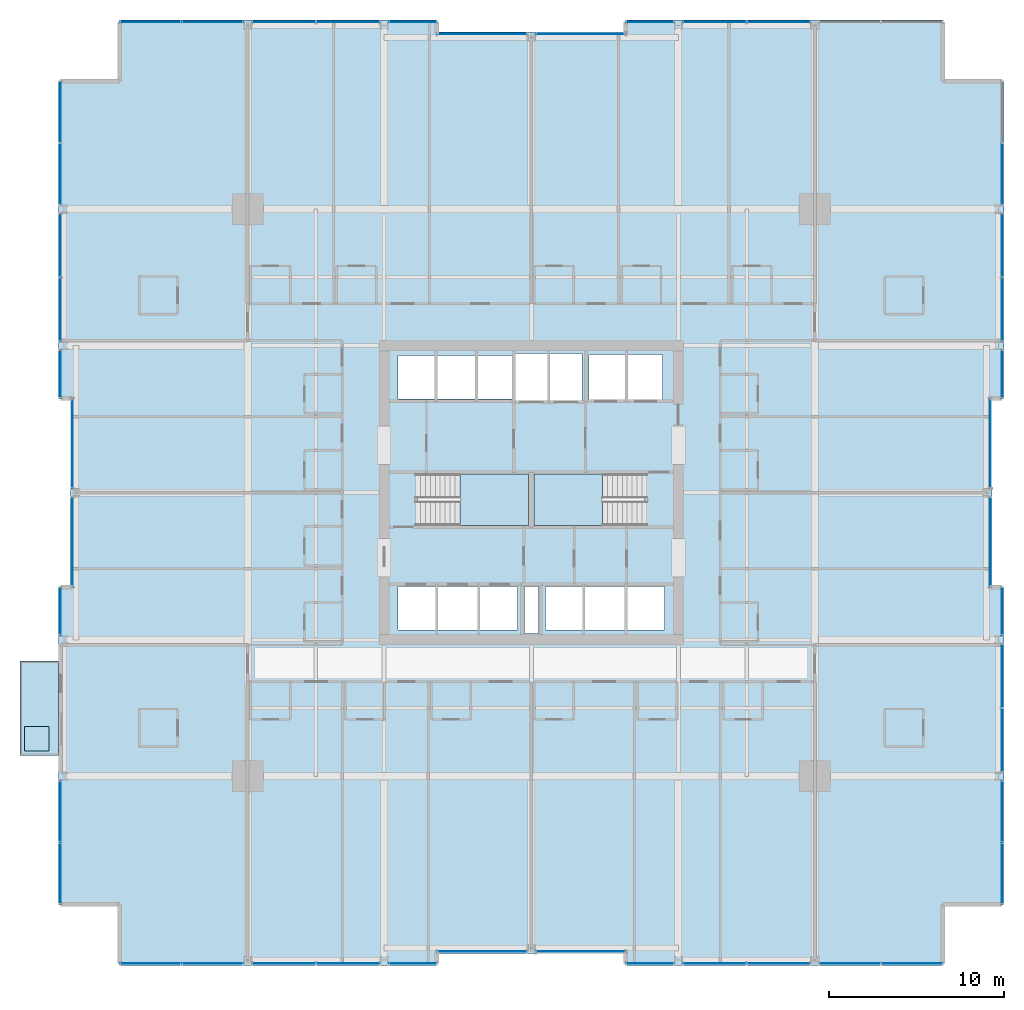
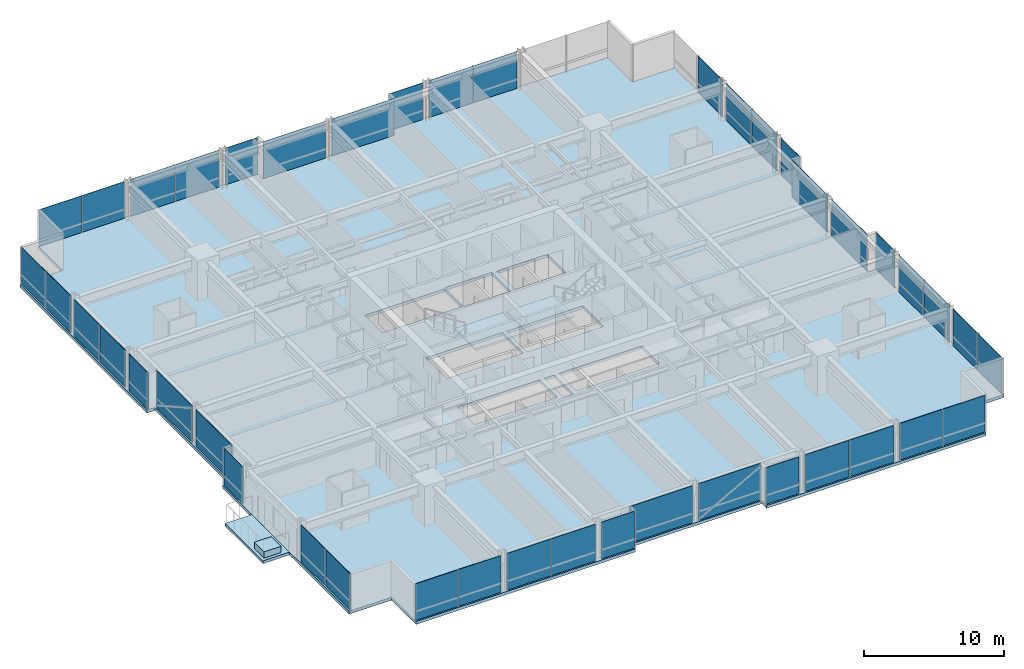
# One storey, part 29 of 39: 43 plates, 5 slabs, 32 elements without a shape of their own.
"""IFC4 building model written with IfcOpenShell, lengths in metres."""

from ifc_helpers import new_model, si_unit, direction, frame, origin, origin_2d, place, context, subcontext, project, spatial, polyline, rectangle, outline, extrude, material, layer, layer_set, type_object, element, aggregate, save


model = new_model("IFC4")

# Units and contexts
model_context = context("Model", 3, precision=1e-05, world=origin(), true_north=direction((0.0, 1.0)))
body_context = subcontext(model_context, "Body", "Model", "MODEL_VIEW")
ifc_project = project(units=[si_unit("LENGTHUNIT", "METRE"), si_unit("AREAUNIT", "SQUARE_METRE"), si_unit("VOLUMEUNIT", "CUBIC_METRE"), si_unit("PLANEANGLEUNIT", "RADIAN"), si_unit("MASSUNIT", "GRAM", prefix="KILO")], contexts=[model_context])

# Site, building, storey
site_placement = place(None, origin())
site = spatial("IfcSite", under=ifc_project, at=site_placement, CompositionType="ELEMENT")
building_placement = place(site_placement, origin())
building = spatial("IfcBuilding", under=site, at=building_placement, Name="Drelvath Grand Hotel", CompositionType="ELEMENT")
storey_placement = place(building_placement, frame((0.0, 0.0, 36.699951171875)))
storey = spatial("IfcBuildingStorey", under=building, at=storey_placement, Name="L07", CompositionType="ELEMENT", Elevation=36.699951171875)

# Slabs
ifc_material_1 = material(Name="Concrete f'c 40 MPa", Category="concrete")
ifc_layer_1 = layer(ifc_material_1, 0.239990234375)
ifc_layer_set_1 = layer_set([ifc_layer_1], Name="Concrete f'c 40 MPa")
slab_type_1 = type_object("IfcSlabType", Name="Cantilevered Tree Balcony Slab 240", PredefinedType="FLOOR", material=ifc_layer_set_1)
slab_1_placement = place(storey_placement, frame((0.0, 0.0, -0.239990234375)))
element("IfcSlab", 1, at=slab_1_placement, inside=storey, type_object=slab_type_1, Name="L07 Cantilevered Tree Balcony Slab 1", PredefinedType="FLOOR", context=body_context, shape_type="SweptSolid", body=[
    extrude(outline(polyline([(-29.199951171875, 12.0), (-27.0, 12.0), (-27.0, 17.39990234375), (-29.199951171875, 17.39990234375), (-29.199951171875, 12.0)])), origin(), (0.0, 0.0, 1.0), 0.239990234375),
])
ifc_layer_2 = layer(ifc_material_1, 0.260009765625)
ifc_layer_set_2 = layer_set([ifc_layer_2], Name="Concrete f'c 40 MPa")
slab_type_2 = type_object("IfcSlabType", Name="Composite RC Floor Slab 260", PredefinedType="FLOOR", material=ifc_layer_set_2)
slab_2_placement = place(storey_placement, frame((0.0, 0.0, -0.260009765625)))
element("IfcSlab", 2, at=slab_2_placement, inside=storey, type_object=slab_type_2, Name="L07 Structural Floor Slab", PredefinedType="FLOOR", context=body_context, shape_type="SweptSolid", body=[
    extrude(outline(polyline([(-23.5, 0.0), (-5.39990234375, 0.0), (-5.39990234375, 0.679931640625), (5.39990234375, 0.679931640625), (5.39990234375, 0.0), (23.5, 0.0), (23.5, 3.5), (27.0, 3.5), (27.0, 21.60009765625), (26.320068359375, 21.60009765625), (26.320068359375, 32.39990234375), (27.0, 32.39990234375), (27.0, 50.5), (23.5, 50.5), (23.5, 54.0), (5.39990234375, 54.0), (5.39990234375, 53.320068359375), (-5.39990234375, 53.320068359375), (-5.39990234375, 54.0), (-23.5, 54.0), (-23.5, 50.5), (-27.0, 50.5), (-27.0, 32.39990234375), (-26.320068359375, 32.39990234375), (-26.320068359375, 21.60009765625), (-27.0, 21.60009765625), (-27.0, 3.5), (-23.5, 3.5), (-23.5, 0.0)]), holes=[polyline([(-6.47998046875, 25.1201171875), (-6.47998046875, 28.080078125), (-0.14990234375, 28.080078125), (-0.14990234375, 25.1201171875), (-6.47998046875, 25.1201171875)]), polyline([(0.14990234375, 25.1201171875), (0.14990234375, 28.080078125), (6.47998046875, 28.080078125), (6.47998046875, 25.1201171875), (0.14990234375, 25.1201171875)]), polyline([(-7.60009765625, 19.14990234375), (-7.60009765625, 21.64990234375), (-0.800048828125, 21.64990234375), (-0.800048828125, 19.14990234375), (-7.60009765625, 19.14990234375)]), polyline([(-0.39990234375, 18.9599609375), (-0.39990234375, 21.639892578125), (0.39990234375, 21.639892578125), (0.39990234375, 18.9599609375), (-0.39990234375, 18.9599609375)]), polyline([(0.800048828125, 19.14990234375), (0.800048828125, 21.64990234375), (7.60009765625, 21.64990234375), (7.60009765625, 19.14990234375), (0.800048828125, 19.14990234375)]), polyline([(-7.60009765625, 32.35009765625), (-7.60009765625, 34.85009765625), (-1.02001953125, 34.85009765625), (-1.02001953125, 32.35009765625), (-7.60009765625, 32.35009765625)]), polyline([(-0.89990234375, 32.25), (-0.89990234375, 34.949951171875), (2.89990234375, 34.949951171875), (2.89990234375, 32.25), (-0.89990234375, 32.25)]), polyline([(3.300048828125, 32.300048828125), (3.300048828125, 34.89990234375), (7.5, 34.89990234375), (7.5, 32.300048828125), (3.300048828125, 32.300048828125)])]), origin(), (0.0, 0.0, 1.0), 0.260009765625),
])

# Stair, slab
ifc_material_2 = material(Name="Concrete C40/50", Category="concrete")
stair_type = type_object("IfcStairType", Name="Dogleg Exit Stair W1400-R175.0", PredefinedType="HALF_TURN_STAIR", material=ifc_material_2)
stair_1_placement = place(storey_placement, origin())
stair_1 = element("IfcStair", 3, at=stair_1_placement, inside=storey, type_object=stair_type, Name="L07 Core Exit Stair ST-1", PredefinedType="HALF_TURN_STAIR")
ifc_layer_3 = layer(ifc_material_2, 0.199951171875)
ifc_layer_set_3 = layer_set([ifc_layer_3], Name="Concrete C40/50")
slab_type_3 = type_object("IfcSlabType", Name="Concrete Stair Landing Slab 200", PredefinedType="LANDING", material=ifc_layer_set_3)
slab_3_placement = place(storey_placement, frame((0.0, 0.0, 1.550048828125)))
slab_3 = element("IfcSlab", 4, at=slab_3_placement, type_object=slab_type_3, Name="ST-1 landing 1", PredefinedType="LANDING", context=body_context, shape_type="SweptSolid", body=[
    extrude(outline(polyline([(-4.080078125, 25.1201171875), (-0.14990234375, 25.1201171875), (-0.14990234375, 28.080078125), (-4.080078125, 28.080078125), (-4.080078125, 25.1201171875)])), origin(), (0.0, 0.0, 1.0), 0.199951171875),
])
aggregate(stair_1, [slab_3])

stair_2_placement = place(storey_placement, origin())
stair_2 = element("IfcStair", 5, at=stair_2_placement, inside=storey, type_object=stair_type, Name="L07 Core Exit Stair ST-2", PredefinedType="HALF_TURN_STAIR")
slab_4_placement = place(storey_placement, frame((0.0, 0.0, 1.550048828125)))
slab_4 = element("IfcSlab", 6, at=slab_4_placement, type_object=slab_type_3, Name="ST-2 landing 1", PredefinedType="LANDING", context=body_context, shape_type="SweptSolid", body=[
    extrude(outline(polyline([(4.080078125, 28.080078125), (0.14990234375, 28.080078125), (0.14990234375, 25.1201171875), (4.080078125, 25.1201171875), (4.080078125, 28.080078125)])), origin(), (0.0, 0.0, 1.0), 0.199951171875),
])
aggregate(stair_2, [slab_4])

# Curtain wall, plates
ifc_material_3 = material(Name="Warm Bronze Anodised Aluminium Frame", Category="aluminium")
ifc_layer_4 = layer(ifc_material_3, 0.199951171875)
ifc_layer_set_4 = layer_set([ifc_layer_4], Name="Warm Bronze Anodised Aluminium Frame")
curtain_wall_type = type_object("IfcCurtainWallType", Name="Stick Curtain Wall CW-02 Warm Bronze Low-Rise", PredefinedType="NOTDEFINED", material=ifc_layer_set_4)
curtain_wall_1_placement = place(storey_placement, origin())
curtain_wall_1 = element("IfcCurtainWall", 7, at=curtain_wall_1_placement, inside=storey, type_object=curtain_wall_type, Name="L07 CW-02 Curtain Wall CW02-L07-WS1", PredefinedType="NOTDEFINED")
ifc_material_4 = material(Name="Low-E Triple Silver Vision Glass Bronze Tint", Category="glass")
ifc_layer_5 = layer(ifc_material_4, 0.035888671875)
ifc_layer_set_5 = layer_set([ifc_layer_5], Name="Low-E Triple Silver Vision Glass Bronze Tint")
plate_type = type_object("IfcPlateType", Name="Curtain Wall Vision Panel CW-02 36mm", PredefinedType="CURTAIN_PANEL", material=ifc_layer_set_5)
plate_1_placement = place(storey_placement, frame((-26.8798828125, 5.264892578125, 0.02001953125), z_axis=(0.0, 0.0, 1.0), x_axis=(0.0, 1.0, 0.0)))
plate_1 = element("IfcPlate", 8, at=plate_1_placement, type_object=plate_type, Name="CW02-L07-WS1 Glazed Panel 1", PredefinedType="CURTAIN_PANEL", context=body_context, shape_type="SweptSolid", body=[
    extrude(rectangle(XDim=3.489501953125, YDim=0.035888671875, at=origin_2d()), origin(), (0.0, 0.0, 1.0), 3.199951171875),
])
plate_2_placement = place(storey_placement, frame((-26.8798828125, 8.794189453125, 0.02001953125), z_axis=(0.0, 0.0, 1.0), x_axis=(0.0, 1.0, 0.0)))
plate_2 = element("IfcPlate", 9, at=plate_2_placement, type_object=plate_type, Name="CW02-L07-WS1 Glazed Panel 2", PredefinedType="CURTAIN_PANEL", context=body_context, shape_type="SweptSolid", body=[
    extrude(rectangle(XDim=3.489501953125, YDim=0.035888671875, at=origin_2d()), origin(), (0.0, 0.0, 1.0), 3.199951171875),
])
aggregate(curtain_wall_1, [plate_1, plate_2])

# Curtain wall, plate
curtain_wall_2_placement = place(storey_placement, origin())
curtain_wall_2 = element("IfcCurtainWall", 10, at=curtain_wall_2_placement, inside=storey, type_object=curtain_wall_type, Name="L07 CW-02 Curtain Wall CW02-L07-WS3", PredefinedType="NOTDEFINED")
plate_3_placement = place(storey_placement, frame((-26.8798828125, 20.220458984375, 0.02001953125), z_axis=(0.0, 0.0, 1.0), x_axis=(0.0, 1.0, 0.0)))
plate_3 = element("IfcPlate", 11, at=plate_3_placement, type_object=plate_type, Name="CW02-L07-WS3 Glazed Panel 1", PredefinedType="CURTAIN_PANEL", context=body_context, shape_type="SweptSolid", body=[
    extrude(rectangle(XDim=2.718994140625, YDim=0.035888671875, at=origin_2d()), origin(), (0.0, 0.0, 1.0), 3.199951171875),
])
aggregate(curtain_wall_2, [plate_3])

curtain_wall_3_placement = place(storey_placement, origin())
curtain_wall_3 = element("IfcCurtainWall", 12, at=curtain_wall_3_placement, inside=storey, type_object=curtain_wall_type, Name="L07 CW-02 Curtain Wall CW02-L07-WM1", PredefinedType="NOTDEFINED")
plate_4_placement = place(storey_placement, frame((-26.199951171875, 24.179443359375, 0.02001953125), z_axis=(0.0, 0.0, 1.0), x_axis=(0.0, 1.0, 0.0)))
plate_4 = element("IfcPlate", 13, at=plate_4_placement, type_object=plate_type, Name="CW02-L07-WM1 Glazed Panel 1", PredefinedType="CURTAIN_PANEL", context=body_context, shape_type="SweptSolid", body=[
    extrude(rectangle(XDim=5.119140625, YDim=0.035888671875, at=origin_2d()), origin(), (0.0, 0.0, 1.0), 3.199951171875),
])
aggregate(curtain_wall_3, [plate_4])

curtain_wall_4_placement = place(storey_placement, origin())
curtain_wall_4 = element("IfcCurtainWall", 14, at=curtain_wall_4_placement, inside=storey, type_object=curtain_wall_type, Name="L07 CW-02 Curtain Wall CW02-L07-WM2", PredefinedType="NOTDEFINED")
plate_5_placement = place(storey_placement, frame((-26.199951171875, 29.820556640625, 0.02001953125), z_axis=(0.0, 0.0, 1.0), x_axis=(0.0, 1.0, 0.0)))
plate_5 = element("IfcPlate", 15, at=plate_5_placement, type_object=plate_type, Name="CW02-L07-WM2 Glazed Panel 1", PredefinedType="CURTAIN_PANEL", context=body_context, shape_type="SweptSolid", body=[
    extrude(rectangle(XDim=5.119140625, YDim=0.035888671875, at=origin_2d()), origin(), (0.0, 0.0, 1.0), 3.199951171875),
])
aggregate(curtain_wall_4, [plate_5])

curtain_wall_5_placement = place(storey_placement, origin())
curtain_wall_5 = element("IfcCurtainWall", 16, at=curtain_wall_5_placement, inside=storey, type_object=curtain_wall_type, Name="L07 CW-02 Curtain Wall CW02-L07-WN1", PredefinedType="NOTDEFINED")
plate_6_placement = place(storey_placement, frame((-26.8798828125, 33.779541015625, 0.02001953125), z_axis=(0.0, 0.0, 1.0), x_axis=(0.0, 1.0, 0.0)))
plate_6 = element("IfcPlate", 17, at=plate_6_placement, type_object=plate_type, Name="CW02-L07-WN1 Glazed Panel 1", PredefinedType="CURTAIN_PANEL", context=body_context, shape_type="SweptSolid", body=[
    extrude(rectangle(XDim=2.718994140625, YDim=0.035888671875, at=origin_2d()), origin(), (0.0, 0.0, 1.0), 3.199951171875),
])
aggregate(curtain_wall_5, [plate_6])

# Curtain wall, plates
curtain_wall_6_placement = place(storey_placement, origin())
curtain_wall_6 = element("IfcCurtainWall", 18, at=curtain_wall_6_placement, inside=storey, type_object=curtain_wall_type, Name="L07 CW-02 Curtain Wall CW02-L07-WN2", PredefinedType="NOTDEFINED")
plate_7_placement = place(storey_placement, frame((-26.8798828125, 37.470458984375, 0.02001953125), z_axis=(0.0, 0.0, 1.0), x_axis=(0.0, 1.0, 0.0)))
plate_7 = element("IfcPlate", 19, at=plate_7_placement, type_object=plate_type, Name="CW02-L07-WN2 Glazed Panel 1", PredefinedType="CURTAIN_PANEL", context=body_context, shape_type="SweptSolid", body=[
    extrude(rectangle(XDim=3.619140625, YDim=0.035888671875, at=origin_2d()), origin(), (0.0, 0.0, 1.0), 3.199951171875),
])
plate_8_placement = place(storey_placement, frame((-26.8798828125, 41.129638671875, 0.02001953125), z_axis=(0.0, 0.0, 1.0), x_axis=(0.0, 1.0, 0.0)))
plate_8 = element("IfcPlate", 20, at=plate_8_placement, type_object=plate_type, Name="CW02-L07-WN2 Glazed Panel 2", PredefinedType="CURTAIN_PANEL", context=body_context, shape_type="SweptSolid", body=[
    extrude(rectangle(XDim=3.619140625, YDim=0.035888671875, at=origin_2d()), origin(), (0.0, 0.0, 1.0), 3.199951171875),
])
aggregate(curtain_wall_6, [plate_7, plate_8])

curtain_wall_7_placement = place(storey_placement, origin())
curtain_wall_7 = element("IfcCurtainWall", 21, at=curtain_wall_7_placement, inside=storey, type_object=curtain_wall_type, Name="L07 CW-02 Curtain Wall CW02-L07-WN3", PredefinedType="NOTDEFINED")
plate_9_placement = place(storey_placement, frame((-26.8798828125, 45.205810546875, 0.02001953125), z_axis=(0.0, 0.0, 1.0), x_axis=(0.0, 1.0, 0.0)))
plate_9 = element("IfcPlate", 22, at=plate_9_placement, type_object=plate_type, Name="CW02-L07-WN3 Glazed Panel 1", PredefinedType="CURTAIN_PANEL", context=body_context, shape_type="SweptSolid", body=[
    extrude(rectangle(XDim=3.489501953125, YDim=0.035888671875, at=origin_2d()), origin(), (0.0, 0.0, 1.0), 3.199951171875),
])
plate_10_placement = place(storey_placement, frame((-26.8798828125, 48.735107421875, 0.02001953125), z_axis=(0.0, 0.0, 1.0), x_axis=(0.0, 1.0, 0.0)))
plate_10 = element("IfcPlate", 23, at=plate_10_placement, type_object=plate_type, Name="CW02-L07-WN3 Glazed Panel 2", PredefinedType="CURTAIN_PANEL", context=body_context, shape_type="SweptSolid", body=[
    extrude(rectangle(XDim=3.489501953125, YDim=0.035888671875, at=origin_2d()), origin(), (0.0, 0.0, 1.0), 3.199951171875),
])
aggregate(curtain_wall_7, [plate_9, plate_10])

# Curtain wall, plate
curtain_wall_8_placement = place(storey_placement, origin())
curtain_wall_8 = element("IfcCurtainWall", 24, at=curtain_wall_8_placement, inside=storey, type_object=curtain_wall_type, Name="L07 CW-02 Curtain Wall CW02-L07-EN1", PredefinedType="NOTDEFINED")
plate_11_placement = place(storey_placement, frame((26.8798828125, 33.779541015625, 0.02001953125), z_axis=(0.0, 0.0, 1.0), x_axis=(0.0, -1.0, 0.0)))
plate_11 = element("IfcPlate", 25, at=plate_11_placement, type_object=plate_type, Name="CW02-L07-EN1 Glazed Panel 1", PredefinedType="CURTAIN_PANEL", context=body_context, shape_type="SweptSolid", body=[
    extrude(rectangle(XDim=2.718994140625, YDim=0.035888671875, at=origin_2d()), origin(), (0.0, 0.0, 1.0), 3.199951171875),
])
aggregate(curtain_wall_8, [plate_11])

# Curtain wall, plates
curtain_wall_9_placement = place(storey_placement, origin())
curtain_wall_9 = element("IfcCurtainWall", 26, at=curtain_wall_9_placement, inside=storey, type_object=curtain_wall_type, Name="L07 CW-02 Curtain Wall CW02-L07-EN2", PredefinedType="NOTDEFINED")
plate_12_placement = place(storey_placement, frame((26.8798828125, 41.129638671875, 0.02001953125), z_axis=(0.0, 0.0, 1.0), x_axis=(0.0, -1.0, 0.0)))
plate_12 = element("IfcPlate", 27, at=plate_12_placement, type_object=plate_type, Name="CW02-L07-EN2 Glazed Panel 1", PredefinedType="CURTAIN_PANEL", context=body_context, shape_type="SweptSolid", body=[
    extrude(rectangle(XDim=3.619140625, YDim=0.035888671875, at=origin_2d()), origin(), (0.0, 0.0, 1.0), 3.199951171875),
])
plate_13_placement = place(storey_placement, frame((26.8798828125, 37.470458984375, 0.02001953125), z_axis=(0.0, 0.0, 1.0), x_axis=(0.0, -1.0, 0.0)))
plate_13 = element("IfcPlate", 28, at=plate_13_placement, type_object=plate_type, Name="CW02-L07-EN2 Glazed Panel 2", PredefinedType="CURTAIN_PANEL", context=body_context, shape_type="SweptSolid", body=[
    extrude(rectangle(XDim=3.619140625, YDim=0.035888671875, at=origin_2d()), origin(), (0.0, 0.0, 1.0), 3.199951171875),
])
aggregate(curtain_wall_9, [plate_12, plate_13])

# Curtain wall, plate
curtain_wall_10_placement = place(storey_placement, origin())
curtain_wall_10 = element("IfcCurtainWall", 29, at=curtain_wall_10_placement, inside=storey, type_object=curtain_wall_type, Name="L07 CW-02 Curtain Wall CW02-L07-EN3", PredefinedType="NOTDEFINED")
plate_14_placement = place(storey_placement, frame((26.8798828125, 45.205810546875, 0.02001953125), z_axis=(0.0, 0.0, 1.0), x_axis=(0.0, -1.0, 0.0)))
plate_14 = element("IfcPlate", 30, at=plate_14_placement, type_object=plate_type, Name="CW02-L07-EN3 Glazed Panel 2", PredefinedType="CURTAIN_PANEL", context=body_context, shape_type="SweptSolid", body=[
    extrude(rectangle(XDim=3.489501953125, YDim=0.035888671875, at=origin_2d()), origin(), (0.0, 0.0, 1.0), 3.199951171875),
])
aggregate(curtain_wall_10, [plate_14])

curtain_wall_11_placement = place(storey_placement, origin())
curtain_wall_11 = element("IfcCurtainWall", 31, at=curtain_wall_11_placement, inside=storey, type_object=curtain_wall_type, Name="L07 CW-02 Curtain Wall CW02-L07-EM1", PredefinedType="NOTDEFINED")
plate_15_placement = place(storey_placement, frame((26.199951171875, 24.179443359375, 0.02001953125), z_axis=(0.0, 0.0, 1.0), x_axis=(0.0, -1.0, 0.0)))
plate_15 = element("IfcPlate", 32, at=plate_15_placement, type_object=plate_type, Name="CW02-L07-EM1 Glazed Panel 1", PredefinedType="CURTAIN_PANEL", context=body_context, shape_type="SweptSolid", body=[
    extrude(rectangle(XDim=5.119140625, YDim=0.035888671875, at=origin_2d()), origin(), (0.0, 0.0, 1.0), 3.199951171875),
])
aggregate(curtain_wall_11, [plate_15])

curtain_wall_12_placement = place(storey_placement, origin())
curtain_wall_12 = element("IfcCurtainWall", 33, at=curtain_wall_12_placement, inside=storey, type_object=curtain_wall_type, Name="L07 CW-02 Curtain Wall CW02-L07-EM2", PredefinedType="NOTDEFINED")
plate_16_placement = place(storey_placement, frame((26.199951171875, 29.820556640625, 0.02001953125), z_axis=(0.0, 0.0, 1.0), x_axis=(0.0, -1.0, 0.0)))
plate_16 = element("IfcPlate", 34, at=plate_16_placement, type_object=plate_type, Name="CW02-L07-EM2 Glazed Panel 1", PredefinedType="CURTAIN_PANEL", context=body_context, shape_type="SweptSolid", body=[
    extrude(rectangle(XDim=5.119140625, YDim=0.035888671875, at=origin_2d()), origin(), (0.0, 0.0, 1.0), 3.199951171875),
])
aggregate(curtain_wall_12, [plate_16])

# Curtain wall, plates
curtain_wall_13_placement = place(storey_placement, origin())
curtain_wall_13 = element("IfcCurtainWall", 35, at=curtain_wall_13_placement, inside=storey, type_object=curtain_wall_type, Name="L07 CW-02 Curtain Wall CW02-L07-ES1", PredefinedType="NOTDEFINED")
plate_17_placement = place(storey_placement, frame((26.8798828125, 8.794189453125, 0.02001953125), z_axis=(0.0, 0.0, 1.0), x_axis=(0.0, -1.0, 0.0)))
plate_17 = element("IfcPlate", 36, at=plate_17_placement, type_object=plate_type, Name="CW02-L07-ES1 Glazed Panel 1", PredefinedType="CURTAIN_PANEL", context=body_context, shape_type="SweptSolid", body=[
    extrude(rectangle(XDim=3.489501953125, YDim=0.035888671875, at=origin_2d()), origin(), (0.0, 0.0, 1.0), 3.199951171875),
])
plate_18_placement = place(storey_placement, frame((26.8798828125, 5.264892578125, 0.02001953125), z_axis=(0.0, 0.0, 1.0), x_axis=(0.0, -1.0, 0.0)))
plate_18 = element("IfcPlate", 37, at=plate_18_placement, type_object=plate_type, Name="CW02-L07-ES1 Glazed Panel 2", PredefinedType="CURTAIN_PANEL", context=body_context, shape_type="SweptSolid", body=[
    extrude(rectangle(XDim=3.489501953125, YDim=0.035888671875, at=origin_2d()), origin(), (0.0, 0.0, 1.0), 3.199951171875),
])
aggregate(curtain_wall_13, [plate_17, plate_18])

curtain_wall_14_placement = place(storey_placement, origin())
curtain_wall_14 = element("IfcCurtainWall", 38, at=curtain_wall_14_placement, inside=storey, type_object=curtain_wall_type, Name="L07 CW-02 Curtain Wall CW02-L07-ES2", PredefinedType="NOTDEFINED")
plate_19_placement = place(storey_placement, frame((26.8798828125, 16.529541015625, 0.02001953125), z_axis=(0.0, 0.0, 1.0), x_axis=(0.0, -1.0, 0.0)))
plate_19 = element("IfcPlate", 39, at=plate_19_placement, type_object=plate_type, Name="CW02-L07-ES2 Glazed Panel 1", PredefinedType="CURTAIN_PANEL", context=body_context, shape_type="SweptSolid", body=[
    extrude(rectangle(XDim=3.619140625, YDim=0.035888671875, at=origin_2d()), origin(), (0.0, 0.0, 1.0), 3.199951171875),
])
plate_20_placement = place(storey_placement, frame((26.8798828125, 12.870361328125, 0.02001953125), z_axis=(0.0, 0.0, 1.0), x_axis=(0.0, -1.0, 0.0)))
plate_20 = element("IfcPlate", 40, at=plate_20_placement, type_object=plate_type, Name="CW02-L07-ES2 Glazed Panel 2", PredefinedType="CURTAIN_PANEL", context=body_context, shape_type="SweptSolid", body=[
    extrude(rectangle(XDim=3.619140625, YDim=0.035888671875, at=origin_2d()), origin(), (0.0, 0.0, 1.0), 3.199951171875),
])
aggregate(curtain_wall_14, [plate_19, plate_20])

# Curtain wall, plate
curtain_wall_15_placement = place(storey_placement, origin())
curtain_wall_15 = element("IfcCurtainWall", 41, at=curtain_wall_15_placement, inside=storey, type_object=curtain_wall_type, Name="L07 CW-02 Curtain Wall CW02-L07-ES3", PredefinedType="NOTDEFINED")
plate_21_placement = place(storey_placement, frame((26.8798828125, 20.220458984375, 0.02001953125), z_axis=(0.0, 0.0, 1.0), x_axis=(0.0, -1.0, 0.0)))
plate_21 = element("IfcPlate", 42, at=plate_21_placement, type_object=plate_type, Name="CW02-L07-ES3 Glazed Panel 1", PredefinedType="CURTAIN_PANEL", context=body_context, shape_type="SweptSolid", body=[
    extrude(rectangle(XDim=2.718994140625, YDim=0.035888671875, at=origin_2d()), origin(), (0.0, 0.0, 1.0), 3.199951171875),
])
aggregate(curtain_wall_15, [plate_21])

# Curtain wall, plates
curtain_wall_16_placement = place(storey_placement, origin())
curtain_wall_16 = element("IfcCurtainWall", 43, at=curtain_wall_16_placement, inside=storey, type_object=curtain_wall_type, Name="L07 CW-02 Curtain Wall CW02-L07-NW1", PredefinedType="NOTDEFINED")
plate_22_placement = place(storey_placement, frame((-21.735107421875, 53.8798828125, 0.02001953125), z_axis=(0.0, 0.0, 1.0), x_axis=(1.0, 0.0, 0.0)))
plate_22 = element("IfcPlate", 44, at=plate_22_placement, type_object=plate_type, Name="CW02-L07-NW1 Glazed Panel 1", PredefinedType="CURTAIN_PANEL", context=body_context, shape_type="SweptSolid", body=[
    extrude(rectangle(XDim=3.489501953125, YDim=0.035888671875, at=origin_2d()), origin(), (0.0, 0.0, 1.0), 3.199951171875),
])
plate_23_placement = place(storey_placement, frame((-18.205810546875, 53.8798828125, 0.02001953125), z_axis=(0.0, 0.0, 1.0), x_axis=(1.0, 0.0, 0.0)))
plate_23 = element("IfcPlate", 45, at=plate_23_placement, type_object=plate_type, Name="CW02-L07-NW1 Glazed Panel 2", PredefinedType="CURTAIN_PANEL", context=body_context, shape_type="SweptSolid", body=[
    extrude(rectangle(XDim=3.489501953125, YDim=0.035888671875, at=origin_2d()), origin(), (0.0, 0.0, 1.0), 3.199951171875),
])
aggregate(curtain_wall_16, [plate_22, plate_23])

curtain_wall_17_placement = place(storey_placement, origin())
curtain_wall_17 = element("IfcCurtainWall", 46, at=curtain_wall_17_placement, inside=storey, type_object=curtain_wall_type, Name="L07 CW-02 Curtain Wall CW02-L07-NW2", PredefinedType="NOTDEFINED")
plate_24_placement = place(storey_placement, frame((-14.129638671875, 53.8798828125, 0.02001953125), z_axis=(0.0, 0.0, 1.0), x_axis=(1.0, 0.0, 0.0)))
plate_24 = element("IfcPlate", 47, at=plate_24_placement, type_object=plate_type, Name="CW02-L07-NW2 Glazed Panel 1", PredefinedType="CURTAIN_PANEL", context=body_context, shape_type="SweptSolid", body=[
    extrude(rectangle(XDim=3.619140625, YDim=0.035888671875, at=origin_2d()), origin(), (0.0, 0.0, 1.0), 3.199951171875),
])
plate_25_placement = place(storey_placement, frame((-10.470458984375, 53.8798828125, 0.02001953125), z_axis=(0.0, 0.0, 1.0), x_axis=(1.0, 0.0, 0.0)))
plate_25 = element("IfcPlate", 48, at=plate_25_placement, type_object=plate_type, Name="CW02-L07-NW2 Glazed Panel 2", PredefinedType="CURTAIN_PANEL", context=body_context, shape_type="SweptSolid", body=[
    extrude(rectangle(XDim=3.619140625, YDim=0.035888671875, at=origin_2d()), origin(), (0.0, 0.0, 1.0), 3.199951171875),
])
aggregate(curtain_wall_17, [plate_24, plate_25])

# Curtain wall, plate
curtain_wall_18_placement = place(storey_placement, origin())
curtain_wall_18 = element("IfcCurtainWall", 49, at=curtain_wall_18_placement, inside=storey, type_object=curtain_wall_type, Name="L07 CW-02 Curtain Wall CW02-L07-NW3", PredefinedType="NOTDEFINED")
plate_26_placement = place(storey_placement, frame((-6.779541015625, 53.8798828125, 0.02001953125), z_axis=(0.0, 0.0, 1.0), x_axis=(1.0, 0.0, 0.0)))
plate_26 = element("IfcPlate", 50, at=plate_26_placement, type_object=plate_type, Name="CW02-L07-NW3 Glazed Panel 1", PredefinedType="CURTAIN_PANEL", context=body_context, shape_type="SweptSolid", body=[
    extrude(rectangle(XDim=2.718994140625, YDim=0.035888671875, at=origin_2d()), origin(), (0.0, 0.0, 1.0), 3.199951171875),
])
aggregate(curtain_wall_18, [plate_26])

curtain_wall_19_placement = place(storey_placement, origin())
curtain_wall_19 = element("IfcCurtainWall", 51, at=curtain_wall_19_placement, inside=storey, type_object=curtain_wall_type, Name="L07 CW-02 Curtain Wall CW02-L07-NM1", PredefinedType="NOTDEFINED")
plate_27_placement = place(storey_placement, frame((-2.820556640625, 53.199951171875, 0.02001953125), z_axis=(0.0, 0.0, 1.0), x_axis=(1.0, 0.0, 0.0)))
plate_27 = element("IfcPlate", 52, at=plate_27_placement, type_object=plate_type, Name="CW02-L07-NM1 Glazed Panel 1", PredefinedType="CURTAIN_PANEL", context=body_context, shape_type="SweptSolid", body=[
    extrude(rectangle(XDim=5.119140625, YDim=0.035888671875, at=origin_2d()), origin(), (0.0, 0.0, 1.0), 3.199951171875),
])
aggregate(curtain_wall_19, [plate_27])

curtain_wall_20_placement = place(storey_placement, origin())
curtain_wall_20 = element("IfcCurtainWall", 53, at=curtain_wall_20_placement, inside=storey, type_object=curtain_wall_type, Name="L07 CW-02 Curtain Wall CW02-L07-NM2", PredefinedType="NOTDEFINED")
plate_28_placement = place(storey_placement, frame((2.820556640625, 53.199951171875, 0.02001953125), z_axis=(0.0, 0.0, 1.0), x_axis=(1.0, 0.0, 0.0)))
plate_28 = element("IfcPlate", 54, at=plate_28_placement, type_object=plate_type, Name="CW02-L07-NM2 Glazed Panel 1", PredefinedType="CURTAIN_PANEL", context=body_context, shape_type="SweptSolid", body=[
    extrude(rectangle(XDim=5.119140625, YDim=0.035888671875, at=origin_2d()), origin(), (0.0, 0.0, 1.0), 3.199951171875),
])
aggregate(curtain_wall_20, [plate_28])

curtain_wall_21_placement = place(storey_placement, origin())
curtain_wall_21 = element("IfcCurtainWall", 55, at=curtain_wall_21_placement, inside=storey, type_object=curtain_wall_type, Name="L07 CW-02 Curtain Wall CW02-L07-NE1", PredefinedType="NOTDEFINED")
plate_29_placement = place(storey_placement, frame((6.779541015625, 53.8798828125, 0.02001953125), z_axis=(0.0, 0.0, 1.0), x_axis=(1.0, 0.0, 0.0)))
plate_29 = element("IfcPlate", 56, at=plate_29_placement, type_object=plate_type, Name="CW02-L07-NE1 Glazed Panel 1", PredefinedType="CURTAIN_PANEL", context=body_context, shape_type="SweptSolid", body=[
    extrude(rectangle(XDim=2.718994140625, YDim=0.035888671875, at=origin_2d()), origin(), (0.0, 0.0, 1.0), 3.199951171875),
])
aggregate(curtain_wall_21, [plate_29])

# Curtain wall, plates
curtain_wall_22_placement = place(storey_placement, origin())
curtain_wall_22 = element("IfcCurtainWall", 57, at=curtain_wall_22_placement, inside=storey, type_object=curtain_wall_type, Name="L07 CW-02 Curtain Wall CW02-L07-NE2", PredefinedType="NOTDEFINED")
plate_30_placement = place(storey_placement, frame((10.470458984375, 53.8798828125, 0.02001953125), z_axis=(0.0, 0.0, 1.0), x_axis=(1.0, 0.0, 0.0)))
plate_30 = element("IfcPlate", 58, at=plate_30_placement, type_object=plate_type, Name="CW02-L07-NE2 Glazed Panel 1", PredefinedType="CURTAIN_PANEL", context=body_context, shape_type="SweptSolid", body=[
    extrude(rectangle(XDim=3.619140625, YDim=0.035888671875, at=origin_2d()), origin(), (0.0, 0.0, 1.0), 3.199951171875),
])
plate_31_placement = place(storey_placement, frame((14.129638671875, 53.8798828125, 0.02001953125), z_axis=(0.0, 0.0, 1.0), x_axis=(1.0, 0.0, 0.0)))
plate_31 = element("IfcPlate", 59, at=plate_31_placement, type_object=plate_type, Name="CW02-L07-NE2 Glazed Panel 2", PredefinedType="CURTAIN_PANEL", context=body_context, shape_type="SweptSolid", body=[
    extrude(rectangle(XDim=3.619140625, YDim=0.035888671875, at=origin_2d()), origin(), (0.0, 0.0, 1.0), 3.199951171875),
])
aggregate(curtain_wall_22, [plate_30, plate_31])

# Curtain wall, plate
curtain_wall_23_placement = place(storey_placement, origin())
curtain_wall_23 = element("IfcCurtainWall", 60, at=curtain_wall_23_placement, inside=storey, type_object=curtain_wall_type, Name="L07 CW-02 Curtain Wall CW02-L07-SE1", PredefinedType="NOTDEFINED")
plate_32_placement = place(storey_placement, frame((6.779541015625, 0.1201171875, 0.02001953125), z_axis=(0.0, 0.0, 1.0), x_axis=(-1.0, 0.0, 0.0)))
plate_32 = element("IfcPlate", 61, at=plate_32_placement, type_object=plate_type, Name="CW02-L07-SE1 Glazed Panel 1", PredefinedType="CURTAIN_PANEL", context=body_context, shape_type="SweptSolid", body=[
    extrude(rectangle(XDim=2.718994140625, YDim=0.035888671875, at=origin_2d()), origin(), (0.0, 0.0, 1.0), 3.199951171875),
])
aggregate(curtain_wall_23, [plate_32])

# Curtain wall, plates
curtain_wall_24_placement = place(storey_placement, origin())
curtain_wall_24 = element("IfcCurtainWall", 62, at=curtain_wall_24_placement, inside=storey, type_object=curtain_wall_type, Name="L07 CW-02 Curtain Wall CW02-L07-SE2", PredefinedType="NOTDEFINED")
plate_33_placement = place(storey_placement, frame((14.129638671875, 0.1201171875, 0.02001953125), z_axis=(0.0, 0.0, 1.0), x_axis=(-1.0, 0.0, 0.0)))
plate_33 = element("IfcPlate", 63, at=plate_33_placement, type_object=plate_type, Name="CW02-L07-SE2 Glazed Panel 1", PredefinedType="CURTAIN_PANEL", context=body_context, shape_type="SweptSolid", body=[
    extrude(rectangle(XDim=3.619140625, YDim=0.035888671875, at=origin_2d()), origin(), (0.0, 0.0, 1.0), 3.199951171875),
])
plate_34_placement = place(storey_placement, frame((10.470458984375, 0.1201171875, 0.02001953125), z_axis=(0.0, 0.0, 1.0), x_axis=(-1.0, 0.0, 0.0)))
plate_34 = element("IfcPlate", 64, at=plate_34_placement, type_object=plate_type, Name="CW02-L07-SE2 Glazed Panel 2", PredefinedType="CURTAIN_PANEL", context=body_context, shape_type="SweptSolid", body=[
    extrude(rectangle(XDim=3.619140625, YDim=0.035888671875, at=origin_2d()), origin(), (0.0, 0.0, 1.0), 3.199951171875),
])
aggregate(curtain_wall_24, [plate_33, plate_34])

curtain_wall_25_placement = place(storey_placement, origin())
curtain_wall_25 = element("IfcCurtainWall", 65, at=curtain_wall_25_placement, inside=storey, type_object=curtain_wall_type, Name="L07 CW-02 Curtain Wall CW02-L07-SE3", PredefinedType="NOTDEFINED")
plate_35_placement = place(storey_placement, frame((21.735107421875, 0.1201171875, 0.02001953125), z_axis=(0.0, 0.0, 1.0), x_axis=(-1.0, 0.0, 0.0)))
plate_35 = element("IfcPlate", 66, at=plate_35_placement, type_object=plate_type, Name="CW02-L07-SE3 Glazed Panel 1", PredefinedType="CURTAIN_PANEL", context=body_context, shape_type="SweptSolid", body=[
    extrude(rectangle(XDim=3.489501953125, YDim=0.035888671875, at=origin_2d()), origin(), (0.0, 0.0, 1.0), 3.199951171875),
])
plate_36_placement = place(storey_placement, frame((18.205810546875, 0.1201171875, 0.02001953125), z_axis=(0.0, 0.0, 1.0), x_axis=(-1.0, 0.0, 0.0)))
plate_36 = element("IfcPlate", 67, at=plate_36_placement, type_object=plate_type, Name="CW02-L07-SE3 Glazed Panel 2", PredefinedType="CURTAIN_PANEL", context=body_context, shape_type="SweptSolid", body=[
    extrude(rectangle(XDim=3.489501953125, YDim=0.035888671875, at=origin_2d()), origin(), (0.0, 0.0, 1.0), 3.199951171875),
])
aggregate(curtain_wall_25, [plate_35, plate_36])

# Curtain wall, plate
curtain_wall_26_placement = place(storey_placement, origin())
curtain_wall_26 = element("IfcCurtainWall", 68, at=curtain_wall_26_placement, inside=storey, type_object=curtain_wall_type, Name="L07 CW-02 Curtain Wall CW02-L07-SM1", PredefinedType="NOTDEFINED")
plate_37_placement = place(storey_placement, frame((-2.820556640625, 0.800048828125, 0.02001953125), z_axis=(0.0, 0.0, 1.0), x_axis=(-1.0, 0.0, 0.0)))
plate_37 = element("IfcPlate", 69, at=plate_37_placement, type_object=plate_type, Name="CW02-L07-SM1 Glazed Panel 1", PredefinedType="CURTAIN_PANEL", context=body_context, shape_type="SweptSolid", body=[
    extrude(rectangle(XDim=5.119140625, YDim=0.035888671875, at=origin_2d()), origin(), (0.0, 0.0, 1.0), 3.199951171875),
])
aggregate(curtain_wall_26, [plate_37])

curtain_wall_27_placement = place(storey_placement, origin())
curtain_wall_27 = element("IfcCurtainWall", 70, at=curtain_wall_27_placement, inside=storey, type_object=curtain_wall_type, Name="L07 CW-02 Curtain Wall CW02-L07-SM2", PredefinedType="NOTDEFINED")
plate_38_placement = place(storey_placement, frame((2.820556640625, 0.800048828125, 0.02001953125), z_axis=(0.0, 0.0, 1.0), x_axis=(-1.0, 0.0, 0.0)))
plate_38 = element("IfcPlate", 71, at=plate_38_placement, type_object=plate_type, Name="CW02-L07-SM2 Glazed Panel 1", PredefinedType="CURTAIN_PANEL", context=body_context, shape_type="SweptSolid", body=[
    extrude(rectangle(XDim=5.119140625, YDim=0.035888671875, at=origin_2d()), origin(), (0.0, 0.0, 1.0), 3.199951171875),
])
aggregate(curtain_wall_27, [plate_38])

# Curtain wall, plates
curtain_wall_28_placement = place(storey_placement, origin())
curtain_wall_28 = element("IfcCurtainWall", 72, at=curtain_wall_28_placement, inside=storey, type_object=curtain_wall_type, Name="L07 CW-02 Curtain Wall CW02-L07-SW1", PredefinedType="NOTDEFINED")
plate_39_placement = place(storey_placement, frame((-18.205810546875, 0.1201171875, 0.02001953125), z_axis=(0.0, 0.0, 1.0), x_axis=(-1.0, 0.0, 0.0)))
plate_39 = element("IfcPlate", 73, at=plate_39_placement, type_object=plate_type, Name="CW02-L07-SW1 Glazed Panel 1", PredefinedType="CURTAIN_PANEL", context=body_context, shape_type="SweptSolid", body=[
    extrude(rectangle(XDim=3.489501953125, YDim=0.035888671875, at=origin_2d()), origin(), (0.0, 0.0, 1.0), 3.199951171875),
])
plate_40_placement = place(storey_placement, frame((-21.735107421875, 0.1201171875, 0.02001953125), z_axis=(0.0, 0.0, 1.0), x_axis=(-1.0, 0.0, 0.0)))
plate_40 = element("IfcPlate", 74, at=plate_40_placement, type_object=plate_type, Name="CW02-L07-SW1 Glazed Panel 2", PredefinedType="CURTAIN_PANEL", context=body_context, shape_type="SweptSolid", body=[
    extrude(rectangle(XDim=3.489501953125, YDim=0.035888671875, at=origin_2d()), origin(), (0.0, 0.0, 1.0), 3.199951171875),
])
aggregate(curtain_wall_28, [plate_39, plate_40])

curtain_wall_29_placement = place(storey_placement, origin())
curtain_wall_29 = element("IfcCurtainWall", 75, at=curtain_wall_29_placement, inside=storey, type_object=curtain_wall_type, Name="L07 CW-02 Curtain Wall CW02-L07-SW2", PredefinedType="NOTDEFINED")
plate_41_placement = place(storey_placement, frame((-10.470458984375, 0.1201171875, 0.02001953125), z_axis=(0.0, 0.0, 1.0), x_axis=(-1.0, 0.0, 0.0)))
plate_41 = element("IfcPlate", 76, at=plate_41_placement, type_object=plate_type, Name="CW02-L07-SW2 Glazed Panel 1", PredefinedType="CURTAIN_PANEL", context=body_context, shape_type="SweptSolid", body=[
    extrude(rectangle(XDim=3.619140625, YDim=0.035888671875, at=origin_2d()), origin(), (0.0, 0.0, 1.0), 3.199951171875),
])
plate_42_placement = place(storey_placement, frame((-14.129638671875, 0.1201171875, 0.02001953125), z_axis=(0.0, 0.0, 1.0), x_axis=(-1.0, 0.0, 0.0)))
plate_42 = element("IfcPlate", 77, at=plate_42_placement, type_object=plate_type, Name="CW02-L07-SW2 Glazed Panel 2", PredefinedType="CURTAIN_PANEL", context=body_context, shape_type="SweptSolid", body=[
    extrude(rectangle(XDim=3.619140625, YDim=0.035888671875, at=origin_2d()), origin(), (0.0, 0.0, 1.0), 3.199951171875),
])
aggregate(curtain_wall_29, [plate_41, plate_42])

# Curtain wall, plate
curtain_wall_30_placement = place(storey_placement, origin())
curtain_wall_30 = element("IfcCurtainWall", 78, at=curtain_wall_30_placement, inside=storey, type_object=curtain_wall_type, Name="L07 CW-02 Curtain Wall CW02-L07-SW3", PredefinedType="NOTDEFINED")
plate_43_placement = place(storey_placement, frame((-6.779541015625, 0.1201171875, 0.02001953125), z_axis=(0.0, 0.0, 1.0), x_axis=(-1.0, 0.0, 0.0)))
plate_43 = element("IfcPlate", 79, at=plate_43_placement, type_object=plate_type, Name="CW02-L07-SW3 Glazed Panel 1", PredefinedType="CURTAIN_PANEL", context=body_context, shape_type="SweptSolid", body=[
    extrude(rectangle(XDim=2.718994140625, YDim=0.035888671875, at=origin_2d()), origin(), (0.0, 0.0, 1.0), 3.199951171875),
])
aggregate(curtain_wall_30, [plate_43])

# Slab
ifc_layer_6 = layer(ifc_material_1, 0.550048828125)
ifc_layer_set_6 = layer_set([ifc_layer_6], Name="Concrete f'c 40 MPa")
slab_type_4 = type_object("IfcSlabType", Name="Structural Tree Planter Box 550", PredefinedType="USERDEFINED", material=ifc_layer_set_6)
slab_5_placement = place(storey_placement, origin())
element("IfcSlab", 80, at=slab_5_placement, inside=storey, type_object=slab_type_4, Name="L07 Tree Balcony Structural Planter 1", ObjectType="PLANTER", PredefinedType="USERDEFINED", context=body_context, shape_type="SweptSolid", body=[
    extrude(outline(polyline([(-28.949951171875, 12.25), (-27.550048828125, 12.25), (-27.550048828125, 13.64990234375), (-28.949951171875, 13.64990234375), (-28.949951171875, 12.25)])), origin(), (0.0, 0.0, 1.0), 0.550048828125),
])

save(model, "model.ifc")
